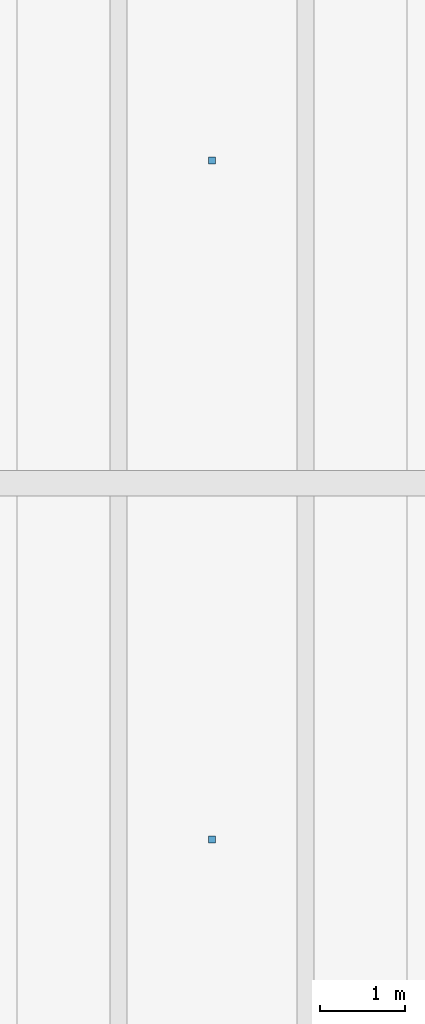
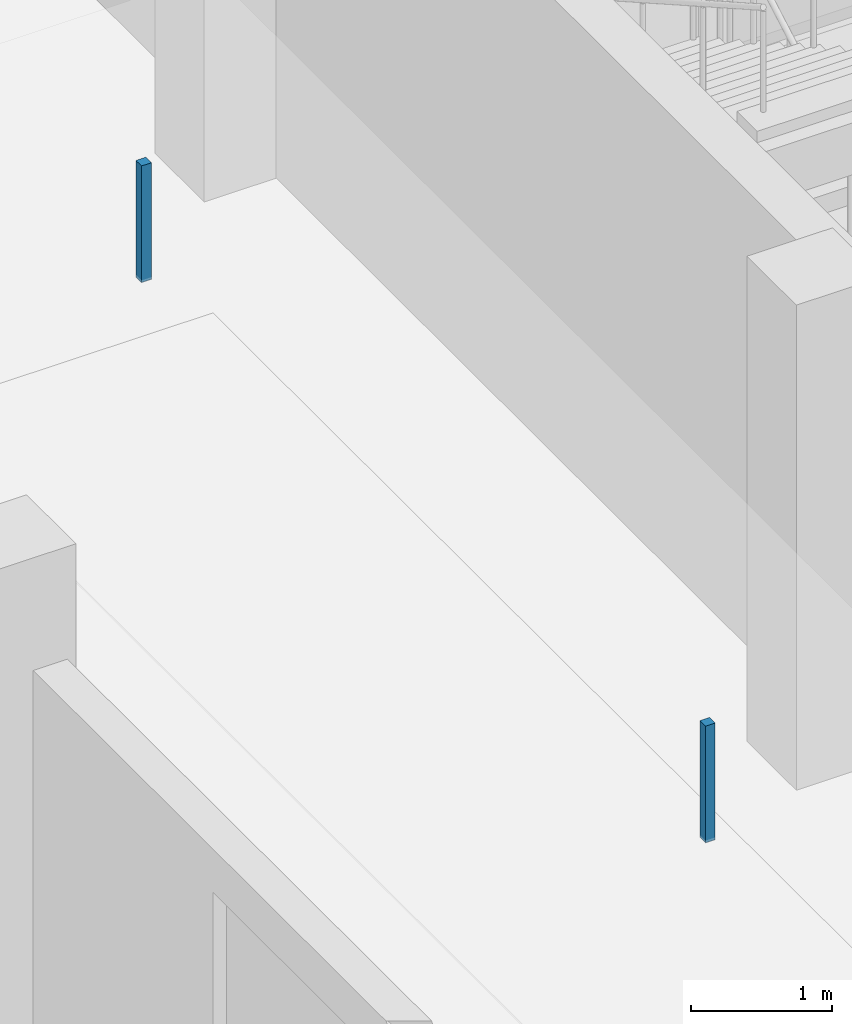
# One storey, part 58 of 74: 2 discrete accessories.
"""IFC4 building model written with IfcOpenShell, lengths in metres."""

import ifcopenshell
import ifcopenshell.guid

model = None  # the IFC model being written
_history = None  # IfcOwnerHistory: only IFC2X3 demands one
_inside = {}  # id of a spatial element -> (the spatial element, [elements in it])
_under = {}  # id of a project, library or spatial element -> (it, [spatial elements below it])
_declared = {}  # id of a project -> (the project, [libraries it declares])
_typed = {}  # id of a type object -> (the type object, [elements of that type])
_made_of = {}  # id of a material, layer set ... -> (it, [elements and type objects made of it])


def new_model(schema):
    """Start an empty IFC model of exactly this schema.

    Asked for "IFC4X3", IfcOpenShell would pick the latest addendum, in which some entities
    have other attributes; the version numbers below select the first issue.
    IFC2X3 requires an IfcOwnerHistory on every rooted entity: one is made here for all.
    """
    global model, _history
    if schema == "IFC4X3":
        model = ifcopenshell.file(schema_version=(4, 3, 0, 0))
    else:
        model = ifcopenshell.file(schema=schema)
    _inside.clear()
    _under.clear()
    _declared.clear()
    _typed.clear()
    _made_of.clear()
    _history = None
    if model.schema == "IFC2X3":
        org = make("IfcOrganization", Name="unknown")
        user = make(
            "IfcPersonAndOrganization",
            ThePerson=make("IfcPerson", FamilyName="unknown"),
            TheOrganization=org,
        )
        app = make(
            "IfcApplication",
            ApplicationDeveloper=org,
            Version="unknown",
            ApplicationFullName="unknown",
            ApplicationIdentifier="unknown",
        )
        _history = make(
            "IfcOwnerHistory",
            OwningUser=user,
            OwningApplication=app,
            ChangeAction="ADDED",
            CreationDate=0,
        )
    return model


def make(cls, **values):
    """One entity of the class cls with the attributes given. An attribute that is None is left unset."""
    return model.create_entity(
        cls, **{name: value for name, value in values.items() if value is not None}
    )


def rooted(cls, **values):
    """An entity with a GlobalId (a new one), such as an element, a storey or a relation."""
    return make(cls, GlobalId=ifcopenshell.guid.new(), OwnerHistory=_history, **values)


def si_unit(unit_type, name, prefix=None):
    """IfcSIUnit, for example si_unit("LENGTHUNIT", "METRE", prefix="MILLI")."""
    return make("IfcSIUnit", UnitType=unit_type, Prefix=prefix, Name=name)


def assignment(units):
    """IfcUnitAssignment: the units of a project."""
    return None if units is None else make("IfcUnitAssignment", Units=units)


def point(xyz):
    """IfcCartesianPoint."""
    return None if xyz is None else make("IfcCartesianPoint", Coordinates=xyz)


def direction(xyz):
    """IfcDirection."""
    return None if xyz is None else make("IfcDirection", DirectionRatios=xyz)


def frame(location, z_axis=None, x_axis=None):
    """IfcAxis2Placement3D, a coordinate frame: its origin and axes. An axis left out is left unset."""
    return make(
        "IfcAxis2Placement3D",
        Location=point(location),
        Axis=direction(z_axis),
        RefDirection=direction(x_axis),
    )


def frame_2d(location, x_axis=None):
    """IfcAxis2Placement2D, a coordinate frame in the plane: its origin and x axis."""
    return make(
        "IfcAxis2Placement2D", Location=point(location), RefDirection=direction(x_axis)
    )


def origin():
    """The frame at (0, 0, 0) with its axes left unset."""
    return frame((0.0, 0.0, 0.0))


def origin_2d():
    """The frame at (0, 0) in the plane with its x axis left unset."""
    return frame_2d((0.0, 0.0))


def place(relative_to, where):
    """IfcLocalPlacement: puts the frame where relative to a parent placement (None: the world)."""
    return make(
        "IfcLocalPlacement", PlacementRelTo=relative_to, RelativePlacement=where
    )


def context(
    kind, dimensions, precision=None, world=None, true_north=None, identifier=None
):
    """IfcGeometricRepresentationContext, for example the 3D "Model" context."""
    return make(
        "IfcGeometricRepresentationContext",
        ContextIdentifier=identifier,
        ContextType=kind,
        CoordinateSpaceDimension=dimensions,
        Precision=precision,
        WorldCoordinateSystem=world,
        TrueNorth=true_north,
    )


def subcontext(parent, identifier, kind, view, scale=None):
    """IfcGeometricRepresentationSubContext, for example "Body" below "Model"."""
    return make(
        "IfcGeometricRepresentationSubContext",
        ContextIdentifier=identifier,
        ContextType=kind,
        ParentContext=parent,
        TargetScale=scale,
        TargetView=view,
    )


def project(units=None, contexts=None):
    """IfcProject with its units and contexts."""
    return rooted(
        "IfcProject",
        Name="project",
        RepresentationContexts=contexts,
        UnitsInContext=assignment(units),
    )


def spatial(cls, under=None, at=None, **own):
    """A site, building, storey or space (cls), placed at a placement, below another one or the project."""
    s = rooted(cls, ObjectPlacement=at, **own)
    if under is not None:
        _under.setdefault(under.id(), (under, []))[1].append(s)
    return s


def profile(cls, at=None, kind="AREA", **sizes):
    """A parametric profile (cls). Its sizes go by their IFC names, for example OverallWidth=200.0."""
    return make(cls, ProfileType=kind, Position=at, **sizes)


def rectangle(**sizes):
    """IfcRectangleProfileDef."""
    return profile("IfcRectangleProfileDef", **sizes)


def extrude(swept, where, along, depth):
    """IfcExtrudedAreaSolid: the profile swept, set in the frame where, extruded along a direction by depth."""
    return make(
        "IfcExtrudedAreaSolid",
        SweptArea=swept,
        Position=where,
        ExtrudedDirection=direction(along),
        Depth=depth,
    )


def shape(context_of_items, identifier, shape_type, items):
    """IfcShapeRepresentation: the items that make up one representation, for example the "Body"."""
    return make(
        "IfcShapeRepresentation",
        ContextOfItems=context_of_items,
        RepresentationIdentifier=identifier,
        RepresentationType=shape_type,
        Items=items,
    )


def material(Name=None, Category=None):
    """IfcMaterial."""
    return make("IfcMaterial", Name=Name, Category=Category)


def layer(
    of_material, thickness, ventilated=None, Name=None, Category=None, Priority=None
):
    """IfcMaterialLayer: one layer of a wall or slab, of a material (None: an air gap)."""
    return make(
        "IfcMaterialLayer",
        Material=of_material,
        LayerThickness=thickness,
        IsVentilated=ventilated,
        Name=Name,
        Category=Category,
        Priority=Priority,
    )


def layer_set(layers, Name=None):
    """IfcMaterialLayerSet."""
    return make("IfcMaterialLayerSet", MaterialLayers=layers, LayerSetName=Name)


def made_of(thing, what):
    """Note that an element or type object is made of a material, layer set ...; save() writes the relation."""
    if what is not None:
        _made_of.setdefault(what.id(), (what, []))[1].append(thing)
    return thing


def type_object(cls, material=None, **own):
    """A type object (cls), such as IfcWallType, which elements share."""
    return made_of(rooted(cls, **own), material)


def element(
    cls,
    number,
    at=None,
    inside=None,
    cuts=None,
    type_object=None,
    material=None,
    context=None,
    identifier="Body",
    shape_type=None,
    held_by="IfcProductDefinitionShape",
    body=None,
    shapes=None,
    **own,
):
    """One element of the class cls, such as IfcWall. Its Tag is "e" and its number.

    at: its placement. inside: the storey or other place that contains it. cuts: it is an
    opening in that element (IfcRelVoidsElement). A single representation is given by context,
    identifier, shape_type and body (its items); several are given by shapes. held_by: the class
    of the entity that holds the representations. save() writes the other relations.
    """
    e = rooted(cls, Tag="e%d" % number, ObjectPlacement=at, **own)
    if body is not None:
        shapes = [shape(context, identifier, shape_type, body)]
    if shapes is not None:
        e.Representation = make(held_by, Representations=shapes)
    if inside is not None:
        _inside.setdefault(inside.id(), (inside, []))[1].append(e)
    if cuts is not None:
        rooted(
            "IfcRelVoidsElement", RelatingBuildingElement=cuts, RelatedOpeningElement=e
        )
    if type_object is not None:
        _typed.setdefault(type_object.id(), (type_object, []))[1].append(e)
    return made_of(e, material)


def aggregate(whole, parts):
    """IfcRelAggregates: a whole, such as a stair, and the parts it consists of."""
    return rooted("IfcRelAggregates", RelatingObject=whole, RelatedObjects=parts)


def save(model, path):
    """Write the relations noted so far, then the file.

    IfcRelAggregates (storeys below a building ...), IfcRelContainedInSpatialStructure (elements
    in a storey), IfcRelDefinesByType, IfcRelAssociatesMaterial and IfcRelDeclares: one each for
    every whole, place, type object, material and project.
    """
    for whole, parts in _under.values():
        aggregate(whole, parts)
    for where, things in _inside.values():
        rooted(
            "IfcRelContainedInSpatialStructure",
            RelatedElements=things,
            RelatingStructure=where,
        )
    for kind, things in _typed.values():
        rooted("IfcRelDefinesByType", RelatedObjects=things, RelatingType=kind)
    for what, things in _made_of.values():
        rooted("IfcRelAssociatesMaterial", RelatedObjects=things, RelatingMaterial=what)
    for by, libraries in _declared.values():
        rooted("IfcRelDeclares", RelatingContext=by, RelatedDefinitions=libraries)
    model.write(path)


model = new_model("IFC4")

# Units and contexts
model_context = context("Model", 3, precision=1e-05, world=origin(), true_north=direction((0.0, 1.0)))
body_context = subcontext(model_context, "Body", "Model", "MODEL_VIEW")
ifc_project = project(units=[si_unit("LENGTHUNIT", "METRE"), si_unit("AREAUNIT", "SQUARE_METRE"), si_unit("VOLUMEUNIT", "CUBIC_METRE"), si_unit("PLANEANGLEUNIT", "RADIAN"), si_unit("MASSUNIT", "GRAM", prefix="KILO")], contexts=[model_context])

# Site, building, storey
site_placement = place(None, origin())
site = spatial("IfcSite", under=ifc_project, at=site_placement, CompositionType="ELEMENT")
building_placement = place(site_placement, origin())
building = spatial("IfcBuilding", under=site, at=building_placement, Name="Qaldarim Faculty of Natural and Applied Sciences", CompositionType="ELEMENT")
storey_placement = place(building_placement, frame((0.0, 0.0, 14.39990234375)))
storey = spatial("IfcBuildingStorey", under=building, at=storey_placement, Name="L03", CompositionType="ELEMENT", Elevation=14.39990234375)

# Discrete accessories
ifc_material = material(Name="Architectural stainless steel 316", Category="steel")
ifc_layer = layer(ifc_material, 0.080078125)
ifc_layer_set = layer_set([ifc_layer], Name="Architectural stainless steel 316")
discrete_accessory_type = type_object("IfcDiscreteAccessoryType", Name="FacadeBracket-SS120", PredefinedType="BRACKET", material=ifc_layer_set)
for number, where, z_axis, x_axis, name in (
    (1, (161.699951171875, 21.0, 2.9501953125), (0.0, 0.0, 1.0), (1.0, 0.0, 0.0), "Ceiling suspension hanger L03 1"),
    (2, (161.699951171875, 29.0, 2.9501953125), (0.0, 0.0, 1.0), (1.0, 0.0, 0.0), "Ceiling suspension hanger L03 2"),
):
    element("IfcDiscreteAccessory", number, at=place(storey_placement, frame(where, z_axis=z_axis, x_axis=x_axis)), inside=storey, type_object=discrete_accessory_type, Name=name, PredefinedType="BRACKET", context=body_context, shape_type="SweptSolid", body=[
        extrude(rectangle(XDim=0.080078125, YDim=0.080078125, at=origin_2d()), origin(), (0.0, 0.0, 1.0), 1.010009765625),
    ])

save(model, "model.ifc")
